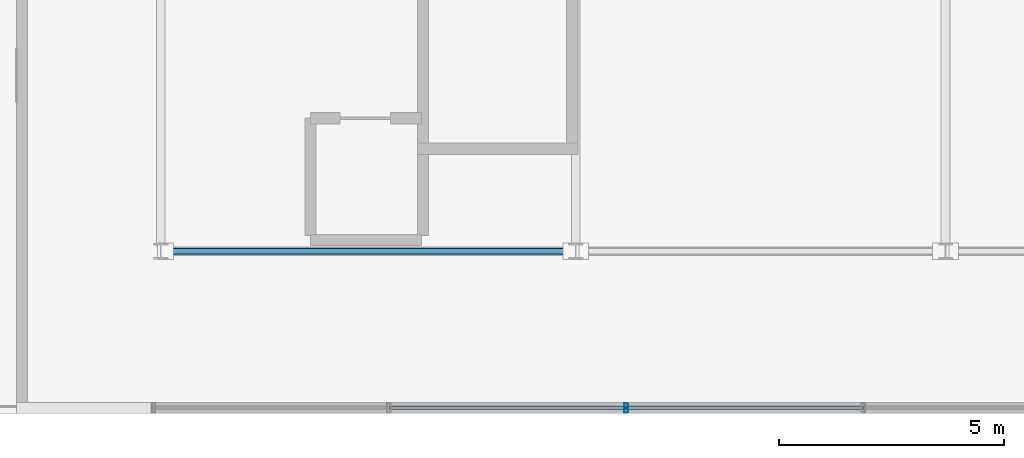
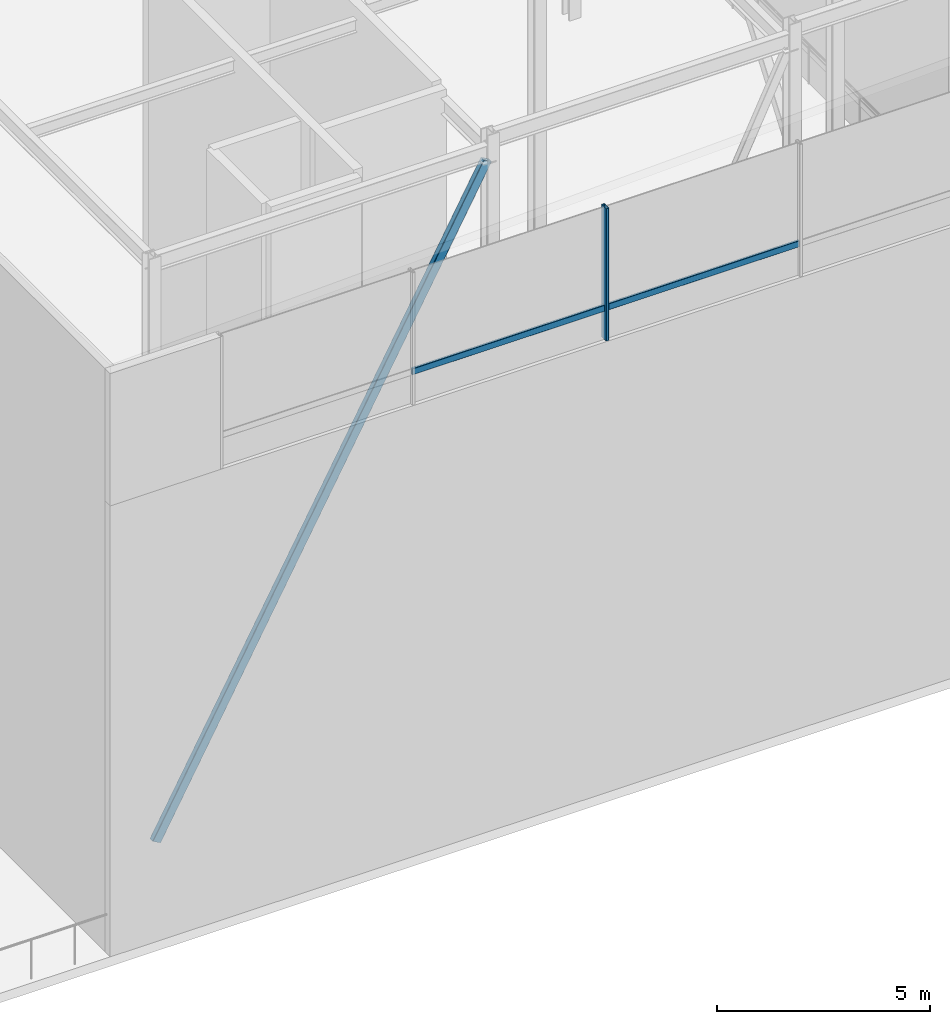
# One storey, part 15 of 39: 4 members, 1 element without a shape of its own.
"""IFC4 building model written with IfcOpenShell, lengths in metres."""

from ifc_helpers import new_model, si_unit, direction, frame, origin, origin_2d, place, context, subcontext, project, spatial, hollow_rectangle, extrude, material, layer, layer_set, material_profile, profile_set, type_object, element, aggregate, save


model = new_model("IFC4")

# Units and contexts
model_context = context("Model", 3, precision=1e-05, world=origin(), true_north=direction((0.0, 1.0)))
body_context = subcontext(model_context, "Body", "Model", "MODEL_VIEW")
ifc_project = project(units=[si_unit("LENGTHUNIT", "METRE"), si_unit("AREAUNIT", "SQUARE_METRE"), si_unit("VOLUMEUNIT", "CUBIC_METRE"), si_unit("PLANEANGLEUNIT", "RADIAN"), si_unit("MASSUNIT", "GRAM", prefix="KILO")], contexts=[model_context])

# Site, building, storey
site_placement = place(None, origin())
site = spatial("IfcSite", under=ifc_project, at=site_placement, CompositionType="ELEMENT")
building_placement = place(site_placement, origin())
building = spatial("IfcBuilding", under=site, at=building_placement, Name="Korimba Cascade Residences", CompositionType="ELEMENT")
storey_placement = place(building_placement, frame((0.0, 0.0, 264.199951171875)))
storey = spatial("IfcBuildingStorey", under=building, at=storey_placement, Name="RF", CompositionType="ELEMENT", Elevation=264.199951171875)

# Curtain wall, members
ifc_material_1 = material(Name="Anodised Aluminium Curtain Wall Framing", Category="aluminium")
ifc_layer = layer(ifc_material_1, 0.179931640625)
ifc_layer_set = layer_set([ifc_layer], Name="Anodised Aluminium Curtain Wall Framing")
curtain_wall_type = type_object("IfcCurtainWallType", Name="CW-CRNW-SYS5", PredefinedType="NOTDEFINED", material=ifc_layer_set)
curtain_wall_placement = place(storey_placement, origin())
curtain_wall = element("IfcCurtainWall", 1, at=curtain_wall_placement, inside=storey, type_object=curtain_wall_type, Name="RF Curtain Wall CW-RF-CRN-E-3", PredefinedType="NOTDEFINED")
ifc_material_2 = material(Name="Anodised Aluminium Mullion", Category="aluminium")
ifc_material_profile_1 = material_profile(ifc_material_2, hollow_rectangle(XDim=0.080078125, YDim=0.219970703125, WallThickness=0.00634765625, InnerFilletRadius=0.00634765625, OuterFilletRadius=0.0126953125, at=origin_2d()), Name="Anodised Aluminium Mullion")
ifc_profile_set_1 = profile_set([ifc_material_profile_1], Name="Anodised Aluminium Mullion")
member_type_1 = type_object("IfcMemberType", Name="CWM-MUL-220", PredefinedType="MULLION", material=ifc_profile_set_1)
member_1_placement = place(storey_placement, frame((113.219970703125, 51.72509765625, 12.949951171875), z_axis=(0.0, 0.0, 1.0), x_axis=(1.0, 0.0, 0.0)))
member_1 = element("IfcMember", 2, at=member_1_placement, type_object=member_type_1, Name="CW-RF-CRN-E-3 Mullion 3", PredefinedType="MULLION", context=body_context, shape_type="SweptSolid", body=[
    extrude(hollow_rectangle(XDim=0.080078125, YDim=0.219970703125, WallThickness=0.00634765625, InnerFilletRadius=0.00634765625, OuterFilletRadius=0.0126953125, at=origin_2d()), origin(), (0.0, 0.0, 1.0), 3.800048828125),
])
ifc_material_3 = material(Name="Anodised Aluminium Transom", Category="aluminium")
ifc_material_profile_2 = material_profile(ifc_material_3, hollow_rectangle(XDim=0.070068359375, YDim=0.179931640625, WallThickness=0.0048828125, InnerFilletRadius=0.0048828125, OuterFilletRadius=0.010009765625, at=origin_2d()), Name="Anodised Aluminium Transom")
ifc_profile_set_2 = profile_set([ifc_material_profile_2], Name="Anodised Aluminium Transom")
member_type_2 = type_object("IfcMemberType", Name="CWM-TRN-150", PredefinedType="USERDEFINED", material=ifc_profile_set_2)
member_2_placement = place(storey_placement, frame((107.9599609375, 51.72509765625, 13.85009765625), z_axis=(1.0, 0.0, 0.0), x_axis=(0.0, 1.0, 0.0)))
member_2 = element("IfcMember", 3, at=member_2_placement, type_object=member_type_2, Name="CW-RF-CRN-E-3 Transom 2", ObjectType="TRANSOM", PredefinedType="USERDEFINED", context=body_context, shape_type="SweptSolid", body=[
    extrude(hollow_rectangle(XDim=0.070068359375, YDim=0.179931640625, WallThickness=0.0048828125, InnerFilletRadius=0.0048828125, OuterFilletRadius=0.010009765625, at=origin_2d()), origin(), (0.0, 0.0, 1.0), 5.260009765625),
])
member_3_placement = place(storey_placement, frame((113.219970703125, 51.72509765625, 13.85009765625), z_axis=(1.0, 0.0, 0.0), x_axis=(0.0, 1.0, 0.0)))
member_3 = element("IfcMember", 4, at=member_3_placement, type_object=member_type_2, Name="CW-RF-CRN-E-3 Transom 3", ObjectType="TRANSOM", PredefinedType="USERDEFINED", context=body_context, shape_type="SweptSolid", body=[
    extrude(hollow_rectangle(XDim=0.070068359375, YDim=0.179931640625, WallThickness=0.0048828125, InnerFilletRadius=0.0048828125, OuterFilletRadius=0.010009765625, at=origin_2d()), origin(), (0.0, 0.0, 1.0), 5.260009765625),
])
aggregate(curtain_wall, [member_1, member_2, member_3])

# Member
ifc_material_4 = material(Name="Steel S355", Category="steel")
ifc_material_profile_3 = material_profile(ifc_material_4, hollow_rectangle(XDim=0.14990234375, YDim=0.25, WallThickness=0.009033203125, InnerFilletRadius=0.009033203125, OuterFilletRadius=0.01806640625, at=origin_2d()), Name="Steel S355")
ifc_profile_set_3 = profile_set([ifc_material_profile_3], Name="Steel S355")
member_type_3 = type_object("IfcMemberType", Name="MEM-CRN-RHS250", PredefinedType="BRACE", material=ifc_profile_set_3)
member_4_placement = place(storey_placement, frame((103.0048828125, 55.199951171875, 0.0), z_axis=(0.480357630509, 0.0, 0.877072714666), x_axis=(0.0, 1.0, 0.0)))
element("IfcMember", 5, at=member_4_placement, inside=storey, type_object=member_type_3, Name="RF CROWN FRAME Diagonal Brace E1.1", PredefinedType="BRACE", context=body_context, shape_type="SweptSolid", body=[
    extrude(hollow_rectangle(XDim=0.14990234375, YDim=0.25, WallThickness=0.009033203125, InnerFilletRadius=0.009033203125, OuterFilletRadius=0.01806640625, at=origin_2d()), origin(), (0.0, 0.0, 1.0), 18.7158203125),
])

save(model, "model.ifc")
